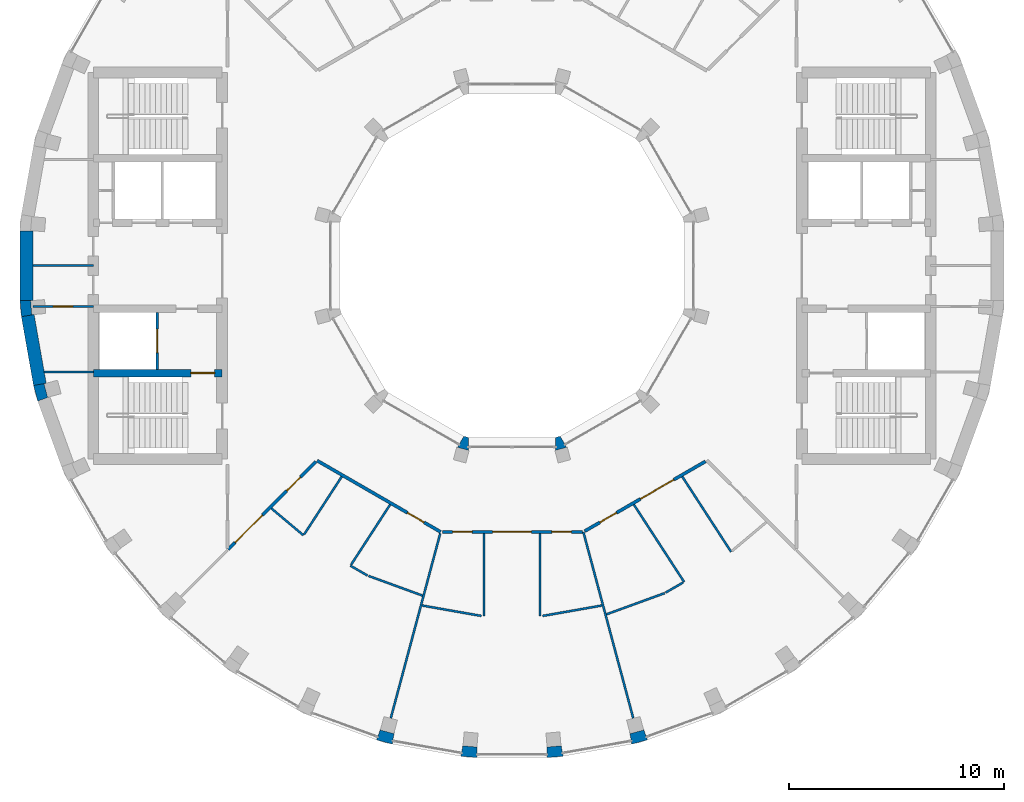
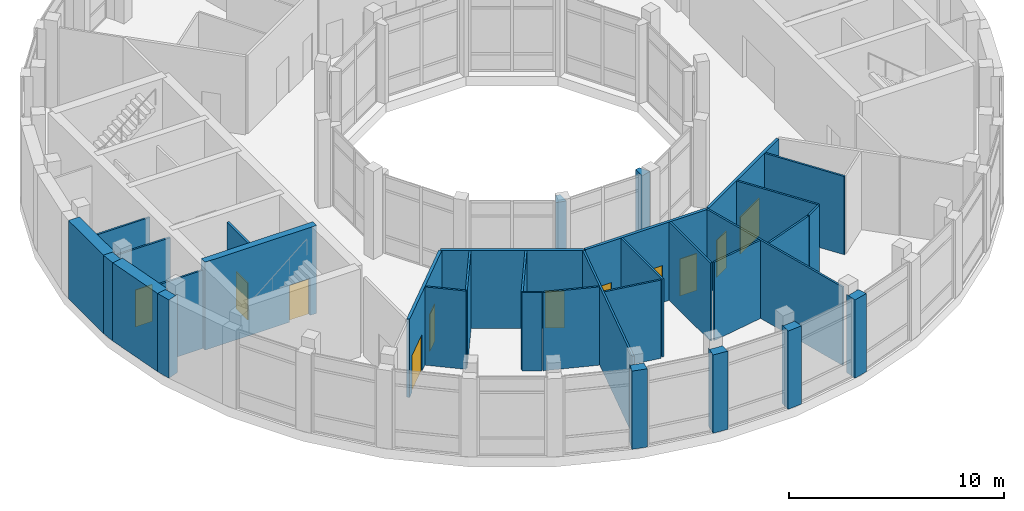
# One storey, part 11 of 16: 34 walls, 11 doors, 11 openings.
"""IFC4 building model written with IfcOpenShell, lengths in metres."""

from ifc_helpers import new_model, si_unit, direction, frame, frame_2d, origin, place, context, subcontext, project, spatial, polyline, rectangle, outline, extrude, material, layer, layer_set, type_object, element, fill, save


model = new_model("IFC4")

# Units and contexts
model_context = context("Model", 3, precision=1e-05, world=origin(), true_north=direction((0.0, 1.0)))
body_context = subcontext(model_context, "Body", "Model", "MODEL_VIEW")
ifc_project = project(units=[si_unit("LENGTHUNIT", "METRE"), si_unit("AREAUNIT", "SQUARE_METRE"), si_unit("VOLUMEUNIT", "CUBIC_METRE"), si_unit("PLANEANGLEUNIT", "RADIAN"), si_unit("MASSUNIT", "GRAM", prefix="KILO")], contexts=[model_context])

# Site, building, storey
site_placement = place(None, origin())
site = spatial("IfcSite", under=ifc_project, at=site_placement, CompositionType="ELEMENT")
building_placement = place(site_placement, origin())
building = spatial("IfcBuilding", under=site, at=building_placement, Name="Saqina Gate Tower", CompositionType="ELEMENT")
storey_placement = place(building_placement, frame((0.0, 0.0, 279.199951171875)))
storey = spatial("IfcBuildingStorey", under=building, at=storey_placement, Name="L80", CompositionType="ELEMENT", Elevation=279.199951171875)

# Walls
ifc_material_1 = material(Name="Brick masonry (buff)", Category="masonry")
wall_type_1 = type_object("IfcWallType", Name="BRICK PIER COPING BUFF", PredefinedType="SOLIDWALL", material=ifc_material_1)
wall_1_placement = place(storey_placement, origin())
element("IfcWall", 1, at=wall_1_placement, inside=storey, type_object=wall_type_1, Name="Pier cap L80 column 19", PredefinedType="SOLIDWALL", context=body_context, shape_type="SweptSolid", body=[
    extrude(outline(polyline([(-22.91259765625, -1.625732421875), (-22.8466796875, -2.377685546875), (-22.255859375, -2.2734375), (-22.361083984375, -2.28271484375), (-22.417724609375, -1.635009765625), (-22.3125, -1.625732421875), (-22.91259765625, -1.625732421875)])), origin(), (0.0, 0.0, 1.0), 4.449951171875),
])
wall_2_placement = place(storey_placement, origin())
element("IfcWall", 2, at=wall_2_placement, inside=storey, type_object=wall_type_1, Name="Pier cap L80 column 20", PredefinedType="SOLIDWALL", context=body_context, shape_type="SweptSolid", body=[
    extrude(outline(polyline([(-22.0869140625, -6.30859375), (-21.52294921875, -6.103515625), (-21.625, -6.130859375), (-21.793212890625, -5.5029296875), (-21.691162109375, -5.4755859375), (-22.281982421875, -5.579833984375), (-22.0869140625, -6.30859375)])), origin(), (0.0, 0.0, 1.0), 4.449951171875),
])
wall_3_placement = place(storey_placement, origin())
element("IfcWall", 3, at=wall_3_placement, inside=storey, type_object=wall_type_1, Name="Pier cap L80 column 26", PredefinedType="SOLIDWALL", context=body_context, shape_type="SweptSolid", body=[
    extrude(outline(polyline([(-5.579833984375, -22.281982421875), (-5.4755859375, -21.691162109375), (-5.5029296875, -21.793212890625), (-6.130859375, -21.625), (-6.103515625, -21.52294921875), (-6.30859375, -22.0869140625), (-5.579833984375, -22.281982421875)])), origin(), (0.0, 0.0, 1.0), 4.449951171875),
])
wall_4_placement = place(storey_placement, origin())
element("IfcWall", 4, at=wall_4_placement, inside=storey, type_object=wall_type_1, Name="Pier cap L80 column 27", PredefinedType="SOLIDWALL", context=body_context, shape_type="SweptSolid", body=[
    extrude(outline(polyline([(-2.377685546875, -22.8466796875), (-1.625732421875, -22.91259765625), (-1.625732421875, -22.3125), (-1.635009765625, -22.417724609375), (-2.28271484375, -22.361083984375), (-2.2734375, -22.255859375), (-2.377685546875, -22.8466796875)])), origin(), (0.0, 0.0, 1.0), 4.449951171875),
])
wall_5_placement = place(storey_placement, origin())
element("IfcWall", 5, at=wall_5_placement, inside=storey, type_object=wall_type_1, Name="Pier cap L80 column 28", PredefinedType="SOLIDWALL", context=body_context, shape_type="SweptSolid", body=[
    extrude(outline(polyline([(1.625732421875, -22.91259765625), (2.377685546875, -22.8466796875), (2.2734375, -22.255859375), (2.28271484375, -22.361083984375), (1.635009765625, -22.417724609375), (1.625732421875, -22.3125), (1.625732421875, -22.91259765625)])), origin(), (0.0, 0.0, 1.0), 4.449951171875),
])
wall_6_placement = place(storey_placement, origin())
element("IfcWall", 6, at=wall_6_placement, inside=storey, type_object=wall_type_1, Name="Pier cap L80 column 29", PredefinedType="SOLIDWALL", context=body_context, shape_type="SweptSolid", body=[
    extrude(outline(polyline([(6.30859375, -22.0869140625), (6.103515625, -21.52294921875), (6.130859375, -21.625), (5.5029296875, -21.793212890625), (5.4755859375, -21.691162109375), (5.579833984375, -22.281982421875), (6.30859375, -22.0869140625)])), origin(), (0.0, 0.0, 1.0), 4.449951171875),
])
ifc_material_2 = material(Name="Gypsum board on steel studs", Category="steel")
ifc_layer_1 = layer(ifc_material_2, 0.10009765625)
ifc_layer_set_1 = layer_set([ifc_layer_1], Name="CORE PARTITION")
wall_type_2 = type_object("IfcWallType", Name="CORE PARTITION", PredefinedType="PARTITIONING", material=ifc_layer_set_1)
wall_7_placement = place(storey_placement, frame((-19.5, -4.949951171875, 0.0), z_axis=(0.0, 0.0, 1.0), x_axis=(-1.0, 0.0, 0.0)))
element("IfcWall", 7, at=wall_7_placement, inside=storey, type_object=wall_type_2, Name="L80-CP-W03", PredefinedType="PARTITIONING", context=body_context, shape_type="SweptSolid", body=[
    extrude(rectangle(XDim=2.283935546875, YDim=0.10009765625, at=frame_2d((1.14208984375, 0.0))), origin(), (0.0, 0.0, 1.0), 4.449951171875),
])

# Wall, opening, door
wall_8_placement = place(storey_placement, frame((-19.5, -1.89990234375, 0.0), z_axis=(0.0, 0.0, 1.0), x_axis=(-1.0, 0.0, 0.0)))
wall_8 = element("IfcWall", 8, at=wall_8_placement, inside=storey, type_object=wall_type_2, Name="L80-CP-W04", PredefinedType="PARTITIONING", context=body_context, shape_type="SweptSolid", body=[
    extrude(rectangle(XDim=2.8125, YDim=0.10009765625, at=frame_2d((1.40625, 0.0))), origin(), (0.0, 0.0, 1.0), 4.449951171875),
])
opening_1_placement = place(wall_8_placement, frame((0.956298828125, 0.0, 0.0)))
opening_1 = element("IfcOpeningElement", 9, at=opening_1_placement, cuts=wall_8, Name="Opening L80-D103", PredefinedType="OPENING", context=body_context, shape_type="SweptSolid", body=[
    extrude(rectangle(XDim=0.89990234375, YDim=2.10009765625, at=frame_2d((0.449951171875, 1.050048828125))), frame((0.0, 0.06201171875, 0.0), z_axis=(0.0, -1.0, 0.0), x_axis=(1.0, 0.0, 0.0)), (0.0, 0.0, 1.0), 0.1240234375),
])
ifc_material_3 = material(Name="Steel-framed fire door leaf, EI 60", Category="steel")
door_type_1 = type_object("IfcDoorType", Name="SERVICE ROOM DOOR 900", OperationType="SINGLE_SWING_LEFT", PredefinedType="DOOR", material=ifc_material_3)
door_1_placement = place(opening_1_placement, origin())
door_1 = element("IfcDoor", 10, at=door_1_placement, inside=storey, type_object=door_type_1, Name="L80-CD-W14", OperationType="SINGLE_SWING_RIGHT", OverallHeight=2.10009765625, OverallWidth=0.89990234375, PredefinedType="DOOR", context=body_context, shape_type="SweptSolid", body=[
    extrude(rectangle(XDim=0.89990234375, YDim=2.10009765625, at=frame_2d((0.449951171875, 1.050048828125))), frame((0.0, 0.02490234375, 0.0), z_axis=(0.0, -1.0, 0.0), x_axis=(1.0, 0.0, 0.0)), (0.0, 0.0, 1.0), 0.050048828125),
])
fill(opening_1, door_1)

# Walls
wall_9_placement = place(storey_placement, frame((-19.5, 0.0, 0.0), z_axis=(0.0, 0.0, 1.0), x_axis=(-1.0, 0.0, 0.0)))
element("IfcWall", 11, at=wall_9_placement, inside=storey, type_object=wall_type_2, Name="L80-CP-W05", PredefinedType="PARTITIONING", context=body_context, shape_type="SweptSolid", body=[
    extrude(rectangle(XDim=2.8125, YDim=0.10009765625, at=frame_2d((1.40625, 0.0))), origin(), (0.0, 0.0, 1.0), 4.449951171875),
])
ifc_material_4 = material(Name="Glazed ceramic tile", Category="ceramic")
ifc_layer_2 = layer(ifc_material_4, 0.60009765625)
ifc_layer_set_2 = layer_set([ifc_layer_2], Name="FW-TILE")
wall_type_3 = type_object("IfcWallType", Name="FW-TILE", PredefinedType="SOLIDWALL", material=ifc_layer_set_2)
wall_10_placement = place(storey_placement, frame((-22.55126953125, -2.325439453125, 0.0), z_axis=(0.0, 0.0, 1.0), x_axis=(0.173656842178, -0.984806225186, 0.0)))
element("IfcWall", 12, at=wall_10_placement, inside=storey, type_object=wall_type_3, Name="Facade wall L80 facet 19", PredefinedType="SOLIDWALL", context=body_context, shape_type="SweptSolid", body=[
    extrude(rectangle(XDim=3.251708984375, YDim=0.60009765625, at=frame_2d((1.6259765625, 0.0))), origin(), (0.0, 0.0, 1.0), 4.449951171875),
])
ifc_material_5 = material(Name="Glazed ceramic tile (dark blue)", Category="ceramic")
ifc_layer_3 = layer(ifc_material_5, 0.60009765625)
ifc_layer_set_3 = layer_set([ifc_layer_3], Name="FW-TILE-CB")
wall_type_4 = type_object("IfcWallType", Name="FW-TILE-CB", PredefinedType="SOLIDWALL", material=ifc_layer_set_3)
wall_11_placement = place(storey_placement, frame((-22.612548828125, 1.625732421875, 0.0), z_axis=(0.0, 0.0, 1.0), x_axis=(0.0, -1.0, 0.0)))
element("IfcWall", 13, at=wall_11_placement, inside=storey, type_object=wall_type_4, Name="Facade wall L80 facet 18", PredefinedType="SOLIDWALL", context=body_context, shape_type="SweptSolid", body=[
    extrude(rectangle(XDim=3.25146484375, YDim=0.60009765625, at=frame_2d((1.625732421875, 0.0))), origin(), (0.0, 0.0, 1.0), 4.449951171875),
])

# Wall, opening, door
ifc_material_6 = material(Name="Autoclaved aerated concrete block", Category="concrete")
ifc_layer_4 = layer(ifc_material_6, 0.1201171875)
ifc_layer_set_4 = layer_set([ifc_layer_4], Name="SHAFT PARTITION")
wall_type_5 = type_object("IfcWallType", Name="SHAFT PARTITION", PredefinedType="PARTITIONING", material=ifc_layer_set_4)
wall_12_placement = place(storey_placement, frame((-16.530029296875, -4.824951171875, 0.0), z_axis=(0.0, 0.0, 1.0), x_axis=(0.0, 1.0, 0.0)))
wall_12 = element("IfcWall", 14, at=wall_12_placement, inside=storey, type_object=wall_type_5, Name="L80-CP-W08", PredefinedType="PARTITIONING", context=body_context, shape_type="SweptSolid", body=[
    extrude(rectangle(XDim=2.64990234375, YDim=0.1201171875, at=frame_2d((1.324951171875, 0.0))), origin(), (0.0, 0.0, 1.0), 4.449951171875),
])
opening_2_placement = place(wall_12_placement, frame((0.77490234375, 0.0, 0.0)))
opening_2 = element("IfcOpeningElement", 15, at=opening_2_placement, cuts=wall_12, Name="Opening L80-LD6", PredefinedType="OPENING", context=body_context, shape_type="SweptSolid", body=[
    extrude(rectangle(XDim=1.10009765625, YDim=2.10009765625, at=frame_2d((0.550048828125, 1.050048828125))), frame((0.0, 0.072021484375, 0.0), z_axis=(0.0, -1.0, 0.0), x_axis=(1.0, 0.0, 0.0)), (0.0, 0.0, 1.0), 0.14404296875),
])
ifc_material_7 = material(Name="Stainless steel", Category="steel")
door_type_2 = type_object("IfcDoorType", Name="LANDING DOOR", OperationType="DOUBLE_DOOR_SLIDING", PredefinedType="DOOR", material=ifc_material_7)
door_2_placement = place(opening_2_placement, origin())
door_2 = element("IfcDoor", 16, at=door_2_placement, inside=storey, type_object=door_type_2, Name="LANDING DOOR FF2", OperationType="DOUBLE_DOOR_SLIDING", OverallHeight=2.10009765625, OverallWidth=1.10009765625, PredefinedType="DOOR", context=body_context, shape_type="SweptSolid", body=[
    extrude(rectangle(XDim=1.10009765625, YDim=2.10009765625, at=frame_2d((0.550048828125, 1.050048828125))), frame((0.0, 0.02490234375, 0.0), z_axis=(0.0, -1.0, 0.0), x_axis=(1.0, 0.0, 0.0)), (0.0, 0.0, 1.0), 0.050048828125),
])
fill(opening_2, door_2)

# Walls
ifc_material_8 = material(Name="Gypsum board on steel studs, 100 mm", Category="steel")
ifc_layer_5 = layer(ifc_material_8, 0.10009765625)
ifc_layer_set_5 = layer_set([ifc_layer_5], Name="SPECIAL PARTITION 100")
wall_type_6 = type_object("IfcWallType", Name="SPECIAL PARTITION 100", PredefinedType="PARTITIONING", material=ifc_layer_set_5)
wall_13_placement = place(storey_placement, frame((3.322998046875, -12.39990234375, 0.0), z_axis=(0.0, 0.0, 1.0), x_axis=(0.258728835498, -0.965949993365, 0.0)))
element("IfcWall", 17, at=wall_13_placement, inside=storey, type_object=wall_type_6, Name="PARTITION 002", PredefinedType="PARTITIONING", context=body_context, shape_type="SweptSolid", body=[
    extrude(rectangle(XDim=8.9775390625, YDim=0.10009765625, at=frame_2d((4.48876953125, 0.0))), origin(), (0.0, 0.0, 1.0), 4.449951171875),
])
wall_14_placement = place(storey_placement, frame((5.67578125, -11.1279296875, 0.0), z_axis=(0.0, 0.0, 1.0), x_axis=(0.544832434593, -0.838544941083, 0.0)))
element("IfcWall", 18, at=wall_14_placement, inside=storey, type_object=wall_type_6, Name="PARTITION 005", PredefinedType="PARTITIONING", context=body_context, shape_type="SweptSolid", body=[
    extrude(rectangle(XDim=4.293212890625, YDim=0.10009765625, at=frame_2d((2.146484375, 0.0))), origin(), (0.0, 0.0, 1.0), 4.449951171875),
])
wall_15_placement = place(storey_placement, frame((7.930908203125, -9.825927734375, 0.0), z_axis=(0.0, 0.0, 1.0), x_axis=(0.544576550515, -0.838711142545, 0.0)))
element("IfcWall", 19, at=wall_15_placement, inside=storey, type_object=wall_type_6, Name="PARTITION 006", PredefinedType="PARTITIONING", context=body_context, shape_type="SweptSolid", body=[
    extrude(rectangle(XDim=4.16845703125, YDim=0.10009765625, at=frame_2d((2.084228515625, 0.0))), origin(), (0.0, 0.0, 1.0), 4.449951171875),
])
wall_16_placement = place(storey_placement, frame((-11.20166015625, -11.30712890625, 0.0), z_axis=(0.0, 0.0, 1.0), x_axis=(0.765897191843, -0.642963056114, 0.0)))
element("IfcWall", 20, at=wall_16_placement, inside=storey, type_object=wall_type_6, Name="PARTITION 011", PredefinedType="PARTITIONING", context=body_context, shape_type="SweptSolid", body=[
    extrude(rectangle(XDim=1.9501953125, YDim=0.10009765625, at=frame_2d((0.97509765625, 0.0))), origin(), (0.0, 0.0, 1.0), 4.449951171875),
])
wall_17_placement = place(storey_placement, frame((-7.52392578125, -13.972900390625, 0.0), z_axis=(0.0, 0.0, 1.0), x_axis=(0.866468987099, -0.499230902886, 0.0)))
element("IfcWall", 21, at=wall_17_placement, inside=storey, type_object=wall_type_6, Name="PARTITION 015", PredefinedType="PARTITIONING", context=body_context, shape_type="SweptSolid", body=[
    extrude(rectangle(XDim=0.91748046875, YDim=0.10009765625, at=frame_2d((0.458740234375, 0.0))), origin(), (0.0, 0.0, 1.0), 4.449951171875),
])
wall_18_placement = place(storey_placement, frame((-6.681884765625, -14.447998046875, 0.0), z_axis=(0.0, 0.0, 1.0), x_axis=(0.939569433945, -0.34235840693, 0.0)))
element("IfcWall", 22, at=wall_18_placement, inside=storey, type_object=wall_type_6, Name="PARTITION 016", PredefinedType="PARTITIONING", context=body_context, shape_type="SweptSolid", body=[
    extrude(rectangle(XDim=2.675537109375, YDim=0.10009765625, at=frame_2d((1.337890625, 0.0))), origin(), (0.0, 0.0, 1.0), 4.449951171875),
])
for number, where, z_axis, x_axis, name in (
    (23, (-4.188720703125, -15.82568359375, 0.0), (0.0, 0.0, 1.0), (0.984846599315, -0.173427725056, 0.0), "PARTITION 018"),
    (24, (1.427001953125, -16.31201171875, 0.0), (0.0, 0.0, 1.0), (0.984846599315, 0.173427725056, 0.0), "PARTITION 022"),
):
    element("IfcWall", number, at=place(storey_placement, frame(where, z_axis=z_axis, x_axis=x_axis)), inside=storey, type_object=wall_type_6, Name=name, PredefinedType="PARTITIONING", context=body_context, shape_type="SweptSolid", body=[
        extrude(rectangle(XDim=2.80419921875, YDim=0.10009765625, at=frame_2d((1.402099609375, 0.0))), origin(), (0.0, 0.0, 1.0), 4.449951171875),
    ])
wall_19_placement = place(storey_placement, frame((4.402099609375, -16.23583984375, 0.0), z_axis=(0.0, 0.0, 1.0), x_axis=(0.939709324203, 0.341974247578, 0.0)))
element("IfcWall", 25, at=wall_19_placement, inside=storey, type_object=wall_type_6, Name="PARTITION 024", PredefinedType="PARTITIONING", context=body_context, shape_type="SweptSolid", body=[
    extrude(rectangle(XDim=2.8828125, YDim=0.10009765625, at=frame_2d((1.44140625, 0.0))), origin(), (0.0, 0.0, 1.0), 4.449951171875),
])
wall_20_placement = place(storey_placement, frame((7.154296875, -15.22509765625, 0.0), z_axis=(0.0, 0.0, 1.0), x_axis=(0.865909883235, 0.500200034103, 0.0)))
element("IfcWall", 26, at=wall_20_placement, inside=storey, type_object=wall_type_6, Name="PARTITION 026", PredefinedType="PARTITIONING", context=body_context, shape_type="SweptSolid", body=[
    extrude(rectangle(XDim=0.94384765625, YDim=0.10009765625, at=frame_2d((0.471923828125, 0.0))), origin(), (0.0, 0.0, 1.0), 4.449951171875),
])
wall_21_placement = place(storey_placement, frame((-7.496826171875, -13.93115234375, 0.0), z_axis=(0.0, 0.0, 1.0), x_axis=(0.54476755827, 0.838587089966, 0.0)))
element("IfcWall", 27, at=wall_21_placement, inside=storey, type_object=wall_type_6, Name="PARTITION 035", PredefinedType="PARTITIONING", context=body_context, shape_type="SweptSolid", body=[
    extrude(rectangle(XDim=3.3427734375, YDim=0.10009765625, at=frame_2d((1.67138671875, 0.0))), origin(), (0.0, 0.0, 1.0), 4.449951171875),
])
wall_22_placement = place(storey_placement, frame((-9.680908203125, -12.51904296875, 0.0), z_axis=(0.0, 0.0, 1.0), x_axis=(0.544873455053, 0.838518287206, 0.0)))
element("IfcWall", 28, at=wall_22_placement, inside=storey, type_object=wall_type_6, Name="PARTITION 036", PredefinedType="PARTITIONING", context=body_context, shape_type="SweptSolid", body=[
    extrude(rectangle(XDim=3.211669921875, YDim=0.10009765625, at=frame_2d((1.60595703125, 0.0))), origin(), (0.0, 0.0, 1.0), 4.449951171875),
])
wall_23_placement = place(storey_placement, frame((-5.64501953125, -21.072021484375, 0.0), z_axis=(0.0, 0.0, 1.0), x_axis=(0.258659321195, 0.965968610028, 0.0)))
element("IfcWall", 29, at=wall_23_placement, inside=storey, type_object=wall_type_6, Name="PARTITION 039", PredefinedType="PARTITIONING", context=body_context, shape_type="SweptSolid", body=[
    extrude(rectangle(XDim=8.902587890625, YDim=0.10009765625, at=frame_2d((4.451171875, 0.0))), origin(), (0.0, 0.0, 1.0), 4.449951171875),
])
for number, where, z_axis, x_axis, name in (
    (30, (1.300048828125, -16.31201171875, 0.0), (0.0, 0.0, 1.0), (0.0, 1.0, 0.0), "PARTITION 044"),
    (31, (-1.300048828125, -16.31201171875, 0.0), (0.0, 0.0, 1.0), (0.0, 1.0, 0.0), "PARTITION 045"),
):
    element("IfcWall", number, at=place(storey_placement, frame(where, z_axis=z_axis, x_axis=x_axis)), inside=storey, type_object=wall_type_6, Name=name, PredefinedType="PARTITIONING", context=body_context, shape_type="SweptSolid", body=[
        extrude(rectangle(XDim=3.8369140625, YDim=0.10009765625, at=frame_2d((1.91845703125, 0.0))), origin(), (0.0, 0.0, 1.0), 4.449951171875),
    ])

# Wall, opening, door
ifc_material_9 = material(Name="Gypsum board on steel studs, 150 mm, fire rated", Category="steel")
ifc_layer_6 = layer(ifc_material_9, 0.14990234375)
ifc_layer_set_6 = layer_set([ifc_layer_6], Name="SPECIAL PARTITION EI 30 150")
wall_type_7 = type_object("IfcWallType", Name="SPECIAL PARTITION EI 30 150", PredefinedType="PARTITIONING", material=ifc_layer_set_6)
wall_24_placement = place(storey_placement, frame((-9.076904296875, -9.076904296875, 0.0), z_axis=(0.0, 0.0, 1.0), x_axis=(0.865961614908, -0.500110469302, 0.0)))
wall_24 = element("IfcWall", 32, at=wall_24_placement, inside=storey, type_object=wall_type_7, Name="PARTITION 013", PredefinedType="PARTITIONING", context=body_context, shape_type="SweptSolid", body=[
    extrude(rectangle(XDim=6.64453125, YDim=0.14990234375, at=frame_2d((3.322265625, 0.0))), origin(), (0.0, 0.0, 1.0), 4.449951171875),
])
opening_3_placement = place(wall_24_placement, frame((4.859619140625, 0.0, 0.0)))
opening_3 = element("IfcOpeningElement", 33, at=opening_3_placement, cuts=wall_24, Name="Opening L80-D16", PredefinedType="OPENING", context=body_context, shape_type="SweptSolid", body=[
    extrude(rectangle(XDim=0.89990234375, YDim=2.10009765625, at=frame_2d((0.449951171875, 1.050048828125))), frame((0.0, 0.0869140625, 0.0), z_axis=(0.0, -1.0, 0.0), x_axis=(1.0, 0.0, 0.0)), (0.0, 0.0, 1.0), 0.173828125),
])
ifc_material_10 = material(Name="Steel-framed fire door leaf, EI 30", Category="steel")
door_type_3 = type_object("IfcDoorType", Name="SPECIAL DOOR 900 FIRE EI 30", OperationType="SINGLE_SWING_LEFT", PredefinedType="DOOR", material=ifc_material_10)
door_3_placement = place(opening_3_placement, frame((0.89990234375, 0.0, 0.0), z_axis=(0.0, 0.0, 1.0), x_axis=(-1.0, 0.0, 0.0)))
door_3 = element("IfcDoor", 34, at=door_3_placement, inside=storey, type_object=door_type_3, Name="DOOR L80-D16", OperationType="SINGLE_SWING_LEFT", OverallHeight=2.10009765625, OverallWidth=0.89990234375, PredefinedType="DOOR", context=body_context, shape_type="SweptSolid", body=[
    extrude(rectangle(XDim=0.89990234375, YDim=2.10009765625, at=frame_2d((0.449951171875, 1.050048828125))), frame((0.0, 0.02490234375, 0.0), z_axis=(0.0, -1.0, 0.0), x_axis=(1.0, 0.0, 0.0)), (0.0, 0.0, 1.0), 0.050048828125),
])
fill(opening_3, door_3)

# Wall, openings, doors
wall_25_placement = place(storey_placement, frame((-3.248046875, -12.39990234375, 0.0), z_axis=(0.0, 0.0, 1.0), x_axis=(1.0, 0.0, 0.0)))
wall_25 = element("IfcWall", 35, at=wall_25_placement, inside=storey, type_object=wall_type_7, Name="PARTITION 020", PredefinedType="PARTITIONING", context=body_context, shape_type="SweptSolid", body=[
    extrude(rectangle(XDim=6.52099609375, YDim=0.14990234375, at=frame_2d((3.260498046875, 0.0))), origin(), (0.0, 0.0, 1.0), 4.449951171875),
])
opening_4_placement = place(wall_25_placement, frame((0.486572265625, 0.0, 0.0)))
opening_4 = element("IfcOpeningElement", 36, at=opening_4_placement, cuts=wall_25, Name="Opening L80-D17", PredefinedType="OPENING", context=body_context, shape_type="SweptSolid", body=[
    extrude(rectangle(XDim=0.89990234375, YDim=2.10009765625, at=frame_2d((0.449951171875, 1.050048828125))), frame((0.0, 0.0869140625, 0.0), z_axis=(0.0, -1.0, 0.0), x_axis=(1.0, 0.0, 0.0)), (0.0, 0.0, 1.0), 0.173828125),
])
opening_5_placement = place(wall_25_placement, frame((2.347900390625, 0.0, 0.0)))
opening_5 = element("IfcOpeningElement", 37, at=opening_5_placement, cuts=wall_25, Name="Opening L80-D18", PredefinedType="OPENING", context=body_context, shape_type="SweptSolid", body=[
    extrude(rectangle(XDim=1.800048828125, YDim=2.10009765625, at=frame_2d((0.89990234375, 1.050048828125))), frame((0.0, 0.0869140625, 0.0), z_axis=(0.0, -1.0, 0.0), x_axis=(1.0, 0.0, 0.0)), (0.0, 0.0, 1.0), 0.173828125),
])
opening_6_placement = place(wall_25_placement, frame((5.109619140625, 0.0, 0.0)))
opening_6 = element("IfcOpeningElement", 38, at=opening_6_placement, cuts=wall_25, Name="Opening L80-D19", PredefinedType="OPENING", context=body_context, shape_type="SweptSolid", body=[
    extrude(rectangle(XDim=0.89990234375, YDim=2.10009765625, at=frame_2d((0.449951171875, 1.050048828125))), frame((0.0, 0.0869140625, 0.0), z_axis=(0.0, -1.0, 0.0), x_axis=(1.0, 0.0, 0.0)), (0.0, 0.0, 1.0), 0.173828125),
])
door_4_placement = place(opening_4_placement, frame((0.89990234375, 0.0, 0.0), z_axis=(0.0, 0.0, 1.0), x_axis=(-1.0, 0.0, 0.0)))
door_4 = element("IfcDoor", 39, at=door_4_placement, inside=storey, type_object=door_type_3, Name="DOOR L80-D17", OperationType="SINGLE_SWING_LEFT", OverallHeight=2.10009765625, OverallWidth=0.89990234375, PredefinedType="DOOR", context=body_context, shape_type="SweptSolid", body=[
    extrude(rectangle(XDim=0.89990234375, YDim=2.10009765625, at=frame_2d((0.449951171875, 1.050048828125))), frame((0.0, 0.02490234375, 0.0), z_axis=(0.0, -1.0, 0.0), x_axis=(1.0, 0.0, 0.0)), (0.0, 0.0, 1.0), 0.050048828125),
])
fill(opening_4, door_4)
door_5_placement = place(opening_6_placement, frame((0.89990234375, 0.0, 0.0), z_axis=(0.0, 0.0, 1.0), x_axis=(-1.0, 0.0, 0.0)))
door_5 = element("IfcDoor", 40, at=door_5_placement, inside=storey, type_object=door_type_3, Name="DOOR L80-D19", OperationType="SINGLE_SWING_RIGHT", OverallHeight=2.10009765625, OverallWidth=0.89990234375, PredefinedType="DOOR", context=body_context, shape_type="SweptSolid", body=[
    extrude(rectangle(XDim=0.89990234375, YDim=2.10009765625, at=frame_2d((0.449951171875, 1.050048828125))), frame((0.0, 0.02490234375, 0.0), z_axis=(0.0, -1.0, 0.0), x_axis=(1.0, 0.0, 0.0)), (0.0, 0.0, 1.0), 0.050048828125),
])
fill(opening_6, door_5)
ifc_material_11 = material(Name="Steel-framed fire door leaf, EI 30", Category="steel")
door_type_4 = type_object("IfcDoorType", Name="SPECIAL DOUBLE DOOR 1800 FIRE EI 30", OperationType="DOUBLE_DOOR_SINGLE_SWING", PredefinedType="DOOR", material=ifc_material_11)
door_6_placement = place(opening_5_placement, origin())
door_6 = element("IfcDoor", 41, at=door_6_placement, inside=storey, type_object=door_type_4, Name="DOOR L80-D18", OperationType="DOUBLE_DOOR_SINGLE_SWING", OverallHeight=2.10009765625, OverallWidth=1.800048828125, PredefinedType="DOOR", context=body_context, shape_type="SweptSolid", body=[
    extrude(rectangle(XDim=1.800048828125, YDim=2.10009765625, at=frame_2d((0.89990234375, 1.050048828125))), frame((0.0, 0.02490234375, 0.0), z_axis=(0.0, -1.0, 0.0), x_axis=(1.0, 0.0, 0.0)), (0.0, 0.0, 1.0), 0.050048828125),
])
fill(opening_5, door_6)

wall_26_placement = place(storey_placement, frame((3.387939453125, -12.362548828125, 0.0), z_axis=(0.0, 0.0, 1.0), x_axis=(0.865967095912, 0.5001009786, 0.0)))
wall_26 = element("IfcWall", 42, at=wall_26_placement, inside=storey, type_object=wall_type_7, Name="PARTITION 027", PredefinedType="PARTITIONING", context=body_context, shape_type="SweptSolid", body=[
    extrude(rectangle(XDim=6.494873046875, YDim=0.14990234375, at=frame_2d((3.24755859375, 0.0))), origin(), (0.0, 0.0, 1.0), 4.449951171875),
])
opening_7_placement = place(wall_26_placement, frame((0.809814453125, 0.0, 0.0)))
opening_7 = element("IfcOpeningElement", 43, at=opening_7_placement, cuts=wall_26, Name="Opening L80-D20", PredefinedType="OPENING", context=body_context, shape_type="SweptSolid", body=[
    extrude(rectangle(XDim=0.89990234375, YDim=2.10009765625, at=frame_2d((0.449951171875, 1.050048828125))), frame((0.0, 0.0869140625, 0.0), z_axis=(0.0, -1.0, 0.0), x_axis=(1.0, 0.0, 0.0)), (0.0, 0.0, 1.0), 0.173828125),
])
opening_8_placement = place(wall_26_placement, frame((2.99658203125, 0.0, 0.0)))
opening_8 = element("IfcOpeningElement", 44, at=opening_8_placement, cuts=wall_26, Name="Opening L80-D21", PredefinedType="OPENING", context=body_context, shape_type="SweptSolid", body=[
    extrude(rectangle(XDim=1.800048828125, YDim=2.10009765625, at=frame_2d((0.89990234375, 1.050048828125))), frame((0.0, 0.0869140625, 0.0), z_axis=(0.0, -1.0, 0.0), x_axis=(1.0, 0.0, 0.0)), (0.0, 0.0, 1.0), 0.173828125),
])
door_7_placement = place(opening_7_placement, frame((0.89990234375, 0.0, 0.0), z_axis=(0.0, 0.0, 1.0), x_axis=(-1.0, 0.0, 0.0)))
door_7 = element("IfcDoor", 45, at=door_7_placement, inside=storey, type_object=door_type_3, Name="DOOR L80-D20", OperationType="SINGLE_SWING_RIGHT", OverallHeight=2.10009765625, OverallWidth=0.89990234375, PredefinedType="DOOR", context=body_context, shape_type="SweptSolid", body=[
    extrude(rectangle(XDim=0.89990234375, YDim=2.10009765625, at=frame_2d((0.449951171875, 1.050048828125))), frame((0.0, 0.02490234375, 0.0), z_axis=(0.0, -1.0, 0.0), x_axis=(1.0, 0.0, 0.0)), (0.0, 0.0, 1.0), 0.050048828125),
])
fill(opening_7, door_7)
door_8_placement = place(opening_8_placement, frame((1.800048828125, 0.0, 0.0), z_axis=(0.0, 0.0, 1.0), x_axis=(-1.0, 0.0, 0.0)))
door_8 = element("IfcDoor", 46, at=door_8_placement, inside=storey, type_object=door_type_4, Name="DOOR L80-D21", OperationType="DOUBLE_DOOR_SINGLE_SWING", OverallHeight=2.10009765625, OverallWidth=1.800048828125, PredefinedType="DOOR", context=body_context, shape_type="SweptSolid", body=[
    extrude(rectangle(XDim=1.800048828125, YDim=2.10009765625, at=frame_2d((0.89990234375, 1.050048828125))), frame((0.0, 0.02490234375, 0.0), z_axis=(0.0, -1.0, 0.0), x_axis=(1.0, 0.0, 0.0)), (0.0, 0.0, 1.0), 0.050048828125),
])
fill(opening_8, door_8)

wall_27_placement = place(storey_placement, frame((-13.214599609375, -13.214599609375, 0.0), z_axis=(0.0, 0.0, 1.0), x_axis=(0.707106781187, 0.707106781187, 0.0)))
wall_27 = element("IfcWall", 47, at=wall_27_placement, inside=storey, type_object=wall_type_7, Name="PARTITION 033", PredefinedType="PARTITIONING", context=body_context, shape_type="SweptSolid", body=[
    extrude(rectangle(XDim=5.776611328125, YDim=0.14990234375, at=frame_2d((2.88818359375, 0.0))), origin(), (0.0, 0.0, 1.0), 4.449951171875),
])
opening_9_placement = place(wall_27_placement, frame((3.858642578125, 0.0, 0.0)))
opening_9 = element("IfcOpeningElement", 48, at=opening_9_placement, cuts=wall_27, Name="Opening L80-D14", PredefinedType="OPENING", context=body_context, shape_type="SweptSolid", body=[
    extrude(rectangle(XDim=0.89990234375, YDim=2.10009765625, at=frame_2d((0.449951171875, 1.050048828125))), frame((0.0, 0.0869140625, 0.0), z_axis=(0.0, -1.0, 0.0), x_axis=(1.0, 0.0, 0.0)), (0.0, 0.0, 1.0), 0.173828125),
])
opening_10_placement = place(wall_27_placement, frame((0.455810546875, 0.0, 0.0)))
opening_10 = element("IfcOpeningElement", 49, at=opening_10_placement, cuts=wall_27, Name="Opening L80-D15", PredefinedType="OPENING", context=body_context, shape_type="SweptSolid", body=[
    extrude(rectangle(XDim=1.800048828125, YDim=2.10009765625, at=frame_2d((0.89990234375, 1.050048828125))), frame((0.0, 0.0869140625, 0.0), z_axis=(0.0, -1.0, 0.0), x_axis=(1.0, 0.0, 0.0)), (0.0, 0.0, 1.0), 0.173828125),
])
door_9_placement = place(opening_9_placement, frame((0.89990234375, 0.0, 0.0), z_axis=(0.0, 0.0, 1.0), x_axis=(-1.0, 0.0, 0.0)))
door_9 = element("IfcDoor", 50, at=door_9_placement, inside=storey, type_object=door_type_3, Name="DOOR L80-D14", OperationType="SINGLE_SWING_LEFT", OverallHeight=2.10009765625, OverallWidth=0.89990234375, PredefinedType="DOOR", context=body_context, shape_type="SweptSolid", body=[
    extrude(rectangle(XDim=0.89990234375, YDim=2.10009765625, at=frame_2d((0.449951171875, 1.050048828125))), frame((0.0, 0.02490234375, 0.0), z_axis=(0.0, -1.0, 0.0), x_axis=(1.0, 0.0, 0.0)), (0.0, 0.0, 1.0), 0.050048828125),
])
fill(opening_9, door_9)
door_10_placement = place(opening_10_placement, frame((1.800048828125, 0.0, 0.0), z_axis=(0.0, 0.0, 1.0), x_axis=(-1.0, 0.0, 0.0)))
door_10 = element("IfcDoor", 51, at=door_10_placement, inside=storey, type_object=door_type_4, Name="DOOR L80-D15", OperationType="DOUBLE_DOOR_SINGLE_SWING", OverallHeight=2.10009765625, OverallWidth=1.800048828125, PredefinedType="DOOR", context=body_context, shape_type="SweptSolid", body=[
    extrude(rectangle(XDim=1.800048828125, YDim=2.10009765625, at=frame_2d((0.89990234375, 1.050048828125))), frame((0.0, 0.02490234375, 0.0), z_axis=(0.0, -1.0, 0.0), x_axis=(1.0, 0.0, 0.0)), (0.0, 0.0, 1.0), 0.050048828125),
])
fill(opening_10, door_10)

# Wall, opening, door
ifc_material_12 = material(Name="Concrete C60/75", Category="concrete")
ifc_layer_7 = layer(ifc_material_12, 0.35009765625)
ifc_layer_set_7 = layer_set([ifc_layer_7], Name="Concrete C60/75")
wall_type_8 = type_object("IfcWallType", Name="STR-CORE WALL-D-I", PredefinedType="SHEAR", material=ifc_layer_set_7)
wall_28_placement = place(storey_placement, frame((-13.5, -5.0, 0.0), z_axis=(0.0, 0.0, 1.0), x_axis=(-1.0, 0.0, 0.0)))
wall_28 = element("IfcWall", 52, at=wall_28_placement, inside=storey, type_object=wall_type_8, Name="CORE WALL L80 W-X2", PredefinedType="SHEAR", context=body_context, shape_type="SweptSolid", body=[
    extrude(rectangle(XDim=6.0, YDim=0.35009765625, at=frame_2d((3.0, 0.0))), origin(), (0.0, 0.0, 1.0), 5.0),
])
opening_11_placement = place(wall_28_placement, frame((0.35009765625, 0.0, 0.0)))
opening_11 = element("IfcOpeningElement", 53, at=opening_11_placement, cuts=wall_28, Name="Opening L80-D106", PredefinedType="OPENING", context=body_context, shape_type="SweptSolid", body=[
    extrude(rectangle(XDim=1.10009765625, YDim=2.10009765625, at=frame_2d((0.550048828125, 1.050048828125))), frame((0.0, 0.18701171875, 0.0), z_axis=(0.0, -1.0, 0.0), x_axis=(1.0, 0.0, 0.0)), (0.0, 0.0, 1.0), 0.3740234375),
])
ifc_material_13 = material(Name="Steel", Category="steel")
door_type_5 = type_object("IfcDoorType", Name="FIRE LOBBY DOOR EI 60 WIDE", OperationType="SINGLE_SWING_LEFT", PredefinedType="DOOR", material=ifc_material_13)
door_11_placement = place(opening_11_placement, origin())
door_11 = element("IfcDoor", 54, at=door_11_placement, inside=storey, type_object=door_type_5, Name="L80-CD-W17", OperationType="SINGLE_SWING_LEFT", OverallHeight=2.10009765625, OverallWidth=1.10009765625, PredefinedType="DOOR", context=body_context, shape_type="SweptSolid", body=[
    extrude(rectangle(XDim=1.10009765625, YDim=2.10009765625, at=frame_2d((0.550048828125, 1.050048828125))), frame((0.0, 0.02490234375, 0.0), z_axis=(0.0, -1.0, 0.0), x_axis=(1.0, 0.0, 0.0)), (0.0, 0.0, 1.0), 0.050048828125),
])
fill(opening_11, door_11)

# Walls
ifc_material_14 = material(Name="Glazed ceramic tile", Category="ceramic")
wall_type_9 = type_object("IfcWallType", Name="TILE PIER COPING", PredefinedType="SOLIDWALL", material=ifc_material_14)
wall_29_placement = place(storey_placement, origin())
element("IfcWall", 55, at=wall_29_placement, inside=storey, type_object=wall_type_9, Name="Well pier cap L80 column 9", PredefinedType="SOLIDWALL", context=body_context, shape_type="SweptSolid", body=[
    extrude(outline(polyline([(-2.029296875, -8.60009765625), (-2.029296875, -8.0), (-2.242431640625, -7.94287109375), (-2.54248046875, -8.46240234375), (-2.029296875, -8.60009765625)])), origin(), (0.0, 0.0, 1.0), 4.449951171875),
])
wall_30_placement = place(storey_placement, origin())
element("IfcWall", 56, at=wall_30_placement, inside=storey, type_object=wall_type_9, Name="Well pier cap L80 column 10", PredefinedType="SOLIDWALL", context=body_context, shape_type="SweptSolid", body=[
    extrude(outline(polyline([(2.54248046875, -8.46240234375), (2.242431640625, -7.94287109375), (2.029296875, -8.0), (2.029296875, -8.60009765625), (2.54248046875, -8.46240234375)])), origin(), (0.0, 0.0, 1.0), 4.449951171875),
])

save(model, "model.ifc")
